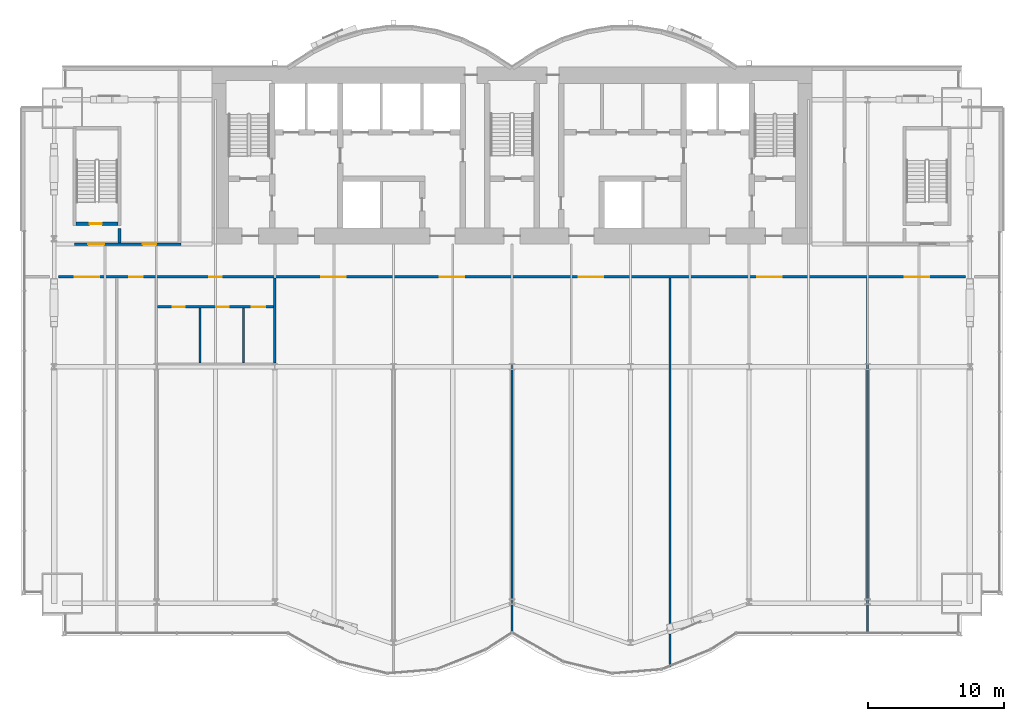
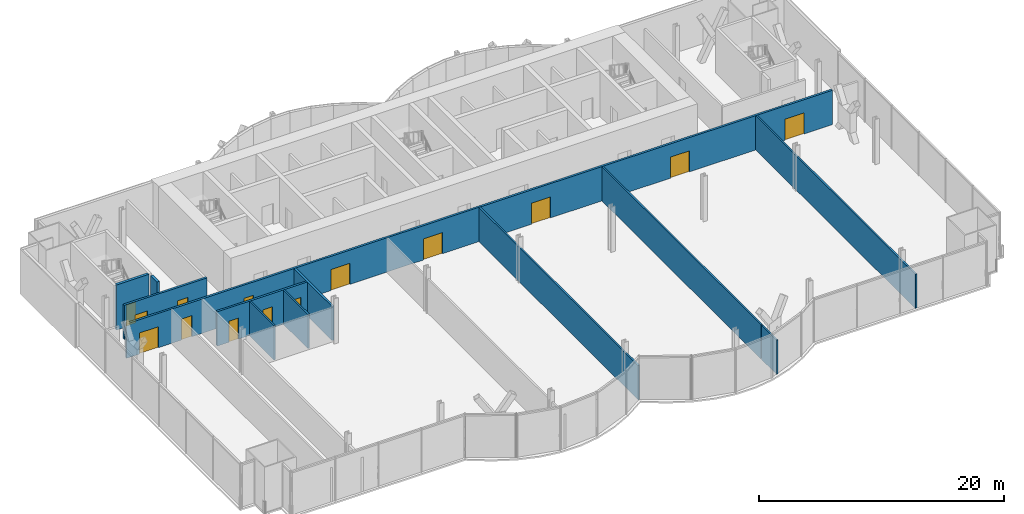
# One storey, part 15 of 22: 14 doors, 12 walls, 14 openings.
"""IFC4 building model written with IfcOpenShell, lengths in metres."""

from ifc_helpers import new_model, si_unit, direction, frame, frame_2d, origin, place, context, subcontext, project, spatial, rectangle, extrude, material, layer, layer_set, type_object, element, fill, save


model = new_model("IFC4")

# Units and contexts
model_context = context("Model", 3, precision=1e-05, world=origin(), true_north=direction((0.0, 1.0)))
body_context = subcontext(model_context, "Body", "Model", "MODEL_VIEW")
ifc_project = project(units=[si_unit("LENGTHUNIT", "METRE"), si_unit("AREAUNIT", "SQUARE_METRE"), si_unit("VOLUMEUNIT", "CUBIC_METRE"), si_unit("PLANEANGLEUNIT", "RADIAN"), si_unit("MASSUNIT", "GRAM", prefix="KILO")], contexts=[model_context])

# Site, building, storey
site_placement = place(None, origin())
site = spatial("IfcSite", under=ifc_project, at=site_placement, CompositionType="ELEMENT")
building_placement = place(site_placement, origin())
building = spatial("IfcBuilding", under=site, at=building_placement, Name="Bicima Exchange Tower", CompositionType="ELEMENT")
storey_placement = place(building_placement, frame((0.0, 0.0, 39.5)))
storey = spatial("IfcBuildingStorey", under=building, at=storey_placement, Name="L07", CompositionType="ELEMENT", Elevation=39.5)

# Wall, openings, doors
ifc_material_1 = material(Name="Gypsum board partition")
ifc_layer_1 = layer(ifc_material_1, 0.199951171875)
ifc_layer_set_1 = layer_set([ifc_layer_1], Name="Gypsum board partition")
wall_type_1 = type_object("IfcWallType", Name="Fire-rated gypsum partition 200 EI60", PredefinedType="PARTITIONING", material=ifc_layer_set_1)
wall_1_placement = place(storey_placement, frame((-26.0, -17.60009765625, 0.0), z_axis=(0.0, 0.0, 1.0), x_axis=(1.0, 0.0, 0.0)))
wall_1 = element("IfcWall", 1, at=wall_1_placement, inside=storey, type_object=wall_type_1, Name="partition wall 2", PredefinedType="PARTITIONING", context=body_context, shape_type="SweptSolid", body=[
    extrude(rectangle(XDim=8.5, YDim=0.199951171875, at=frame_2d((4.25, 0.0))), origin(), (0.0, 0.0, 1.0), 3.418212890625),
])
opening_1_placement = place(wall_1_placement, frame((1.10009765625, 0.0, 0.0)))
opening_1 = element("IfcOpeningElement", 2, at=opening_1_placement, cuts=wall_1, Name="Opening L07-010", PredefinedType="OPENING", context=body_context, shape_type="SweptSolid", body=[
    extrude(rectangle(XDim=0.89990234375, YDim=2.10009765625, at=frame_2d((0.449951171875, 1.050048828125))), frame((0.0, 0.11181640625, 0.0), z_axis=(0.0, -1.0, 0.0), x_axis=(1.0, 0.0, 0.0)), (0.0, 0.0, 1.0), 0.223876953125),
])
opening_2_placement = place(wall_1_placement, frame((4.300048828125, 0.0, 0.0)))
opening_2 = element("IfcOpeningElement", 3, at=opening_2_placement, cuts=wall_1, Name="Opening L07-011", PredefinedType="OPENING", context=body_context, shape_type="SweptSolid", body=[
    extrude(rectangle(XDim=0.89990234375, YDim=2.10009765625, at=frame_2d((0.449951171875, 1.050048828125))), frame((0.0, 0.11181640625, 0.0), z_axis=(0.0, -1.0, 0.0), x_axis=(1.0, 0.0, 0.0)), (0.0, 0.0, 1.0), 0.223876953125),
])
opening_3_placement = place(wall_1_placement, frame((6.89990234375, 0.0, 0.0)))
opening_3 = element("IfcOpeningElement", 4, at=opening_3_placement, cuts=wall_1, Name="Opening L07-012", PredefinedType="OPENING", context=body_context, shape_type="SweptSolid", body=[
    extrude(rectangle(XDim=1.0, YDim=2.10009765625, at=frame_2d((0.5, 1.050048828125))), frame((0.0, 0.11181640625, 0.0), z_axis=(0.0, -1.0, 0.0), x_axis=(1.0, 0.0, 0.0)), (0.0, 0.0, 1.0), 0.223876953125),
])
ifc_material_2 = material(Name="Steel fire door leaf", Category="steel")
door_type_1 = type_object("IfcDoorType", Name="Door 1000 swing FD30S", OperationType="SINGLE_SWING_LEFT", PredefinedType="DOOR", material=ifc_material_2)
door_1_placement = place(opening_3_placement, frame((1.0, 0.0, 0.0), z_axis=(0.0, 0.0, 1.0), x_axis=(-1.0, 0.0, 0.0)))
door_1 = element("IfcDoor", 5, at=door_1_placement, inside=storey, type_object=door_type_1, Name="Door", OperationType="SINGLE_SWING_RIGHT", OverallHeight=2.10009765625, OverallWidth=1.0, PredefinedType="DOOR", context=body_context, shape_type="SweptSolid", body=[
    extrude(rectangle(XDim=1.0, YDim=2.10009765625, at=frame_2d((0.5, 1.050048828125))), frame((0.0, 0.02490234375, 0.0), z_axis=(0.0, -1.0, 0.0), x_axis=(1.0, 0.0, 0.0)), (0.0, 0.0, 1.0), 0.050048828125),
])
fill(opening_3, door_1)
door_type_2 = type_object("IfcDoorType", Name="Door 900 swing FD30S", OperationType="SINGLE_SWING_LEFT", PredefinedType="DOOR", material=ifc_material_2)
door_2_placement = place(opening_1_placement, frame((0.89990234375, 0.0, 0.0), z_axis=(0.0, 0.0, 1.0), x_axis=(-1.0, 0.0, 0.0)))
door_2 = element("IfcDoor", 6, at=door_2_placement, inside=storey, type_object=door_type_2, Name="Door", OperationType="SINGLE_SWING_LEFT", OverallHeight=2.10009765625, OverallWidth=0.89990234375, PredefinedType="DOOR", context=body_context, shape_type="SweptSolid", body=[
    extrude(rectangle(XDim=0.89990234375, YDim=2.10009765625, at=frame_2d((0.449951171875, 1.050048828125))), frame((0.0, 0.02490234375, 0.0), z_axis=(0.0, -1.0, 0.0), x_axis=(1.0, 0.0, 0.0)), (0.0, 0.0, 1.0), 0.050048828125),
])
fill(opening_1, door_2)
door_3_placement = place(opening_2_placement, frame((0.89990234375, 0.0, 0.0), z_axis=(0.0, 0.0, 1.0), x_axis=(-1.0, 0.0, 0.0)))
door_3 = element("IfcDoor", 7, at=door_3_placement, inside=storey, type_object=door_type_2, Name="Door", OperationType="SINGLE_SWING_RIGHT", OverallHeight=2.10009765625, OverallWidth=0.89990234375, PredefinedType="DOOR", context=body_context, shape_type="SweptSolid", body=[
    extrude(rectangle(XDim=0.89990234375, YDim=2.10009765625, at=frame_2d((0.449951171875, 1.050048828125))), frame((0.0, 0.02490234375, 0.0), z_axis=(0.0, -1.0, 0.0), x_axis=(1.0, 0.0, 0.0)), (0.0, 0.0, 1.0), 0.050048828125),
])
fill(opening_2, door_3)

wall_2_placement = place(storey_placement, frame((-33.27001953125, -15.39990234375, 0.0), z_axis=(0.0, 0.0, 1.0), x_axis=(1.0, 0.0, 0.0)))
wall_2 = element("IfcWall", 8, at=wall_2_placement, inside=storey, type_object=wall_type_1, Name="partition wall 4", PredefinedType="PARTITIONING", context=body_context, shape_type="SweptSolid", body=[
    extrude(rectangle(XDim=66.5400390625, YDim=0.199951171875, at=frame_2d((33.27001953125, 0.0))), origin(), (0.0, 0.0, 1.0), 3.418212890625),
])
opening_4_placement = place(wall_2_placement, frame((1.199951171875, 0.0, 0.0)))
opening_4 = element("IfcOpeningElement", 9, at=opening_4_placement, cuts=wall_2, Name="Opening L07-007", PredefinedType="OPENING", context=body_context, shape_type="SweptSolid", body=[
    extrude(rectangle(XDim=1.800048828125, YDim=2.10009765625, at=frame_2d((0.89990234375, 1.050048828125))), frame((0.0, 0.11181640625, 0.0), z_axis=(0.0, -1.0, 0.0), x_axis=(1.0, 0.0, 0.0)), (0.0, 0.0, 1.0), 0.223876953125),
])
opening_5_placement = place(wall_2_placement, frame((5.169921875, 0.0, 0.0)))
opening_5 = element("IfcOpeningElement", 10, at=opening_5_placement, cuts=wall_2, Name="Opening L07-008", PredefinedType="OPENING", context=body_context, shape_type="SweptSolid", body=[
    extrude(rectangle(XDim=1.0, YDim=2.10009765625, at=frame_2d((0.5, 1.050048828125))), frame((0.0, 0.11181640625, 0.0), z_axis=(0.0, -1.0, 0.0), x_axis=(1.0, 0.0, 0.0)), (0.0, 0.0, 1.0), 0.223876953125),
])
opening_6_placement = place(wall_2_placement, frame((11.070068359375, 0.0, 0.0)))
opening_6 = element("IfcOpeningElement", 11, at=opening_6_placement, cuts=wall_2, Name="Opening L07-009", PredefinedType="OPENING", context=body_context, shape_type="SweptSolid", body=[
    extrude(rectangle(XDim=0.89990234375, YDim=2.10009765625, at=frame_2d((0.449951171875, 1.050048828125))), frame((0.0, 0.11181640625, 0.0), z_axis=(0.0, -1.0, 0.0), x_axis=(1.0, 0.0, 0.0)), (0.0, 0.0, 1.0), 0.223876953125),
])
opening_7_placement = place(wall_2_placement, frame((19.27001953125, 0.0, 0.0)))
opening_7 = element("IfcOpeningElement", 12, at=opening_7_placement, cuts=wall_2, Name="Opening L07-013", PredefinedType="OPENING", context=body_context, shape_type="SweptSolid", body=[
    extrude(rectangle(XDim=1.800048828125, YDim=2.10009765625, at=frame_2d((0.89990234375, 1.050048828125))), frame((0.0, 0.11181640625, 0.0), z_axis=(0.0, -1.0, 0.0), x_axis=(1.0, 0.0, 0.0)), (0.0, 0.0, 1.0), 0.223876953125),
])
opening_8_placement = place(wall_2_placement, frame((27.969970703125, 0.0, 0.0)))
opening_8 = element("IfcOpeningElement", 13, at=opening_8_placement, cuts=wall_2, Name="Opening L07-014", PredefinedType="OPENING", context=body_context, shape_type="SweptSolid", body=[
    extrude(rectangle(XDim=1.800048828125, YDim=2.10009765625, at=frame_2d((0.89990234375, 1.050048828125))), frame((0.0, 0.11181640625, 0.0), z_axis=(0.0, -1.0, 0.0), x_axis=(1.0, 0.0, 0.0)), (0.0, 0.0, 1.0), 0.223876953125),
])
opening_9_placement = place(wall_2_placement, frame((38.169921875, 0.0, 0.0)))
opening_9 = element("IfcOpeningElement", 14, at=opening_9_placement, cuts=wall_2, Name="Opening L07-015", PredefinedType="OPENING", context=body_context, shape_type="SweptSolid", body=[
    extrude(rectangle(XDim=1.800048828125, YDim=2.10009765625, at=frame_2d((0.89990234375, 1.050048828125))), frame((0.0, 0.11181640625, 0.0), z_axis=(0.0, -1.0, 0.0), x_axis=(1.0, 0.0, 0.0)), (0.0, 0.0, 1.0), 0.223876953125),
])
opening_10_placement = place(wall_2_placement, frame((51.27001953125, 0.0, 0.0)))
opening_10 = element("IfcOpeningElement", 15, at=opening_10_placement, cuts=wall_2, Name="Opening L07-016", PredefinedType="OPENING", context=body_context, shape_type="SweptSolid", body=[
    extrude(rectangle(XDim=1.800048828125, YDim=2.10009765625, at=frame_2d((0.89990234375, 1.050048828125))), frame((0.0, 0.11181640625, 0.0), z_axis=(0.0, -1.0, 0.0), x_axis=(1.0, 0.0, 0.0)), (0.0, 0.0, 1.0), 0.223876953125),
])
opening_11_placement = place(wall_2_placement, frame((62.070068359375, 0.0, 0.0)))
opening_11 = element("IfcOpeningElement", 16, at=opening_11_placement, cuts=wall_2, Name="Opening L07-017", PredefinedType="OPENING", context=body_context, shape_type="SweptSolid", body=[
    extrude(rectangle(XDim=1.800048828125, YDim=2.10009765625, at=frame_2d((0.89990234375, 1.050048828125))), frame((0.0, 0.11181640625, 0.0), z_axis=(0.0, -1.0, 0.0), x_axis=(1.0, 0.0, 0.0)), (0.0, 0.0, 1.0), 0.223876953125),
])
door_4_placement = place(opening_5_placement, frame((1.0, 0.0, 0.0), z_axis=(0.0, 0.0, 1.0), x_axis=(-1.0, 0.0, 0.0)))
door_4 = element("IfcDoor", 17, at=door_4_placement, inside=storey, type_object=door_type_1, Name="Door", OperationType="SINGLE_SWING_RIGHT", OverallHeight=2.10009765625, OverallWidth=1.0, PredefinedType="DOOR", context=body_context, shape_type="SweptSolid", body=[
    extrude(rectangle(XDim=1.0, YDim=2.10009765625, at=frame_2d((0.5, 1.050048828125))), frame((0.0, 0.02490234375, 0.0), z_axis=(0.0, -1.0, 0.0), x_axis=(1.0, 0.0, 0.0)), (0.0, 0.0, 1.0), 0.050048828125),
])
fill(opening_5, door_4)
door_type_3 = type_object("IfcDoorType", Name="Door 1800 double swing FD30S", OperationType="DOUBLE_DOOR_SINGLE_SWING", PredefinedType="DOOR", material=ifc_material_2)
door_5_placement = place(opening_4_placement, origin())
door_5 = element("IfcDoor", 18, at=door_5_placement, inside=storey, type_object=door_type_3, Name="Door", OperationType="SINGLE_SWING_LEFT", OverallHeight=2.10009765625, OverallWidth=1.800048828125, PredefinedType="DOOR", context=body_context, shape_type="SweptSolid", body=[
    extrude(rectangle(XDim=1.800048828125, YDim=2.10009765625, at=frame_2d((0.89990234375, 1.050048828125))), frame((0.0, 0.02490234375, 0.0), z_axis=(0.0, -1.0, 0.0), x_axis=(1.0, 0.0, 0.0)), (0.0, 0.0, 1.0), 0.050048828125),
])
fill(opening_4, door_5)
door_6_placement = place(opening_7_placement, origin())
door_6 = element("IfcDoor", 19, at=door_6_placement, inside=storey, type_object=door_type_3, Name="Door", OperationType="SINGLE_SWING_LEFT", OverallHeight=2.10009765625, OverallWidth=1.800048828125, PredefinedType="DOOR", context=body_context, shape_type="SweptSolid", body=[
    extrude(rectangle(XDim=1.800048828125, YDim=2.10009765625, at=frame_2d((0.89990234375, 1.050048828125))), frame((0.0, 0.02490234375, 0.0), z_axis=(0.0, -1.0, 0.0), x_axis=(1.0, 0.0, 0.0)), (0.0, 0.0, 1.0), 0.050048828125),
])
fill(opening_7, door_6)
door_7_placement = place(opening_8_placement, origin())
door_7 = element("IfcDoor", 20, at=door_7_placement, inside=storey, type_object=door_type_3, Name="Door", OperationType="SINGLE_SWING_LEFT", OverallHeight=2.10009765625, OverallWidth=1.800048828125, PredefinedType="DOOR", context=body_context, shape_type="SweptSolid", body=[
    extrude(rectangle(XDim=1.800048828125, YDim=2.10009765625, at=frame_2d((0.89990234375, 1.050048828125))), frame((0.0, 0.02490234375, 0.0), z_axis=(0.0, -1.0, 0.0), x_axis=(1.0, 0.0, 0.0)), (0.0, 0.0, 1.0), 0.050048828125),
])
fill(opening_8, door_7)
door_8_placement = place(opening_9_placement, origin())
door_8 = element("IfcDoor", 21, at=door_8_placement, inside=storey, type_object=door_type_3, Name="Door", OperationType="SINGLE_SWING_LEFT", OverallHeight=2.10009765625, OverallWidth=1.800048828125, PredefinedType="DOOR", context=body_context, shape_type="SweptSolid", body=[
    extrude(rectangle(XDim=1.800048828125, YDim=2.10009765625, at=frame_2d((0.89990234375, 1.050048828125))), frame((0.0, 0.02490234375, 0.0), z_axis=(0.0, -1.0, 0.0), x_axis=(1.0, 0.0, 0.0)), (0.0, 0.0, 1.0), 0.050048828125),
])
fill(opening_9, door_8)
door_9_placement = place(opening_10_placement, origin())
door_9 = element("IfcDoor", 22, at=door_9_placement, inside=storey, type_object=door_type_3, Name="Door", OperationType="SINGLE_SWING_LEFT", OverallHeight=2.10009765625, OverallWidth=1.800048828125, PredefinedType="DOOR", context=body_context, shape_type="SweptSolid", body=[
    extrude(rectangle(XDim=1.800048828125, YDim=2.10009765625, at=frame_2d((0.89990234375, 1.050048828125))), frame((0.0, 0.02490234375, 0.0), z_axis=(0.0, -1.0, 0.0), x_axis=(1.0, 0.0, 0.0)), (0.0, 0.0, 1.0), 0.050048828125),
])
fill(opening_10, door_9)
door_10_placement = place(opening_11_placement, origin())
door_10 = element("IfcDoor", 23, at=door_10_placement, inside=storey, type_object=door_type_3, Name="Door", OperationType="SINGLE_SWING_LEFT", OverallHeight=2.10009765625, OverallWidth=1.800048828125, PredefinedType="DOOR", context=body_context, shape_type="SweptSolid", body=[
    extrude(rectangle(XDim=1.800048828125, YDim=2.10009765625, at=frame_2d((0.89990234375, 1.050048828125))), frame((0.0, 0.02490234375, 0.0), z_axis=(0.0, -1.0, 0.0), x_axis=(1.0, 0.0, 0.0)), (0.0, 0.0, 1.0), 0.050048828125),
])
fill(opening_11, door_10)
door_11_placement = place(opening_6_placement, frame((0.89990234375, 0.0, 0.0), z_axis=(0.0, 0.0, 1.0), x_axis=(-1.0, 0.0, 0.0)))
door_11 = element("IfcDoor", 24, at=door_11_placement, inside=storey, type_object=door_type_2, Name="Door", OperationType="SINGLE_SWING_RIGHT", OverallHeight=2.10009765625, OverallWidth=0.89990234375, PredefinedType="DOOR", context=body_context, shape_type="SweptSolid", body=[
    extrude(rectangle(XDim=0.89990234375, YDim=2.10009765625, at=frame_2d((0.449951171875, 1.050048828125))), frame((0.0, 0.02490234375, 0.0), z_axis=(0.0, -1.0, 0.0), x_axis=(1.0, 0.0, 0.0)), (0.0, 0.0, 1.0), 0.050048828125),
])
fill(opening_6, door_11)

wall_3_placement = place(storey_placement, frame((-32.10009765625, -13.0, 0.0), z_axis=(0.0, 0.0, 1.0), x_axis=(1.0, 0.0, 0.0)))
wall_3 = element("IfcWall", 25, at=wall_3_placement, inside=storey, type_object=wall_type_1, Name="partition wall 6", PredefinedType="PARTITIONING", context=body_context, shape_type="SweptSolid", body=[
    extrude(rectangle(XDim=7.800048828125, YDim=0.199951171875, at=frame_2d((3.89990234375, 0.0))), origin(), (0.0, 0.0, 1.0), 3.418212890625),
])
opening_12_placement = place(wall_3_placement, frame((1.0, 0.0, 0.0)))
opening_12 = element("IfcOpeningElement", 26, at=opening_12_placement, cuts=wall_3, Name="Opening L07-001", PredefinedType="OPENING", context=body_context, shape_type="SweptSolid", body=[
    extrude(rectangle(XDim=1.199951171875, YDim=2.10009765625, at=frame_2d((0.60009765625, 1.050048828125))), frame((0.0, 0.11181640625, 0.0), z_axis=(0.0, -1.0, 0.0), x_axis=(1.0, 0.0, 0.0)), (0.0, 0.0, 1.0), 0.223876953125),
])
opening_13_placement = place(wall_3_placement, frame((5.0, 0.0, 0.0)))
opening_13 = element("IfcOpeningElement", 27, at=opening_13_placement, cuts=wall_3, Name="Opening L07-005", PredefinedType="OPENING", context=body_context, shape_type="SweptSolid", body=[
    extrude(rectangle(XDim=1.0, YDim=2.10009765625, at=frame_2d((0.5, 1.050048828125))), frame((0.0, 0.11181640625, 0.0), z_axis=(0.0, -1.0, 0.0), x_axis=(1.0, 0.0, 0.0)), (0.0, 0.0, 1.0), 0.223876953125),
])
door_12_placement = place(opening_13_placement, origin())
door_12 = element("IfcDoor", 28, at=door_12_placement, inside=storey, type_object=door_type_1, Name="Door", OperationType="SINGLE_SWING_LEFT", OverallHeight=2.10009765625, OverallWidth=1.0, PredefinedType="DOOR", context=body_context, shape_type="SweptSolid", body=[
    extrude(rectangle(XDim=1.0, YDim=2.10009765625, at=frame_2d((0.5, 1.050048828125))), frame((0.0, 0.02490234375, 0.0), z_axis=(0.0, -1.0, 0.0), x_axis=(1.0, 0.0, 0.0)), (0.0, 0.0, 1.0), 0.050048828125),
])
fill(opening_13, door_12)
door_type_4 = type_object("IfcDoorType", Name="Door 1200 swing FD30S", OperationType="SINGLE_SWING_LEFT", PredefinedType="DOOR", material=ifc_material_2)
door_13_placement = place(opening_12_placement, origin())
door_13 = element("IfcDoor", 29, at=door_13_placement, inside=storey, type_object=door_type_4, Name="Door", OperationType="SINGLE_SWING_LEFT", OverallHeight=2.10009765625, OverallWidth=1.199951171875, PredefinedType="DOOR", context=body_context, shape_type="SweptSolid", body=[
    extrude(rectangle(XDim=1.199951171875, YDim=2.10009765625, at=frame_2d((0.60009765625, 1.050048828125))), frame((0.0, 0.02490234375, 0.0), z_axis=(0.0, -1.0, 0.0), x_axis=(1.0, 0.0, 0.0)), (0.0, 0.0, 1.0), 0.050048828125),
])
fill(opening_12, door_13)

# Walls
wall_4_placement = place(storey_placement, frame((-17.39990234375, -21.72509765625, 0.0), z_axis=(0.0, 0.0, 1.0), x_axis=(0.0, 1.0, 0.0)))
element("IfcWall", 30, at=wall_4_placement, inside=storey, type_object=wall_type_1, Name="partition wall 21", PredefinedType="PARTITIONING", context=body_context, shape_type="SweptSolid", body=[
    extrude(rectangle(XDim=6.22509765625, YDim=0.199951171875, at=frame_2d((3.112548828125, 0.0))), origin(), (0.0, 0.0, 1.0), 3.418212890625),
])
ifc_layer_2 = layer(ifc_material_1, 0.14990234375)
ifc_layer_set_2 = layer_set([ifc_layer_2], Name="Gypsum board partition")
wall_type_2 = type_object("IfcWallType", Name="Gypsum partition 150", PredefinedType="PARTITIONING", material=ifc_layer_set_2)
for number, where, z_axis, x_axis, name in (
    (31, (-22.89990234375, -21.72509765625, 0.0), (0.0, 0.0, 1.0), (0.0, 1.0, 0.0), "partition wall 19"),
    (32, (-19.699951171875, -21.72509765625, 0.0), (0.0, 0.0, 1.0), (0.0, 1.0, 0.0), "partition wall 20"),
):
    element("IfcWall", number, at=place(storey_placement, frame(where, z_axis=z_axis, x_axis=x_axis)), inside=storey, type_object=wall_type_2, Name=name, PredefinedType="PARTITIONING", context=body_context, shape_type="SweptSolid", body=[
        extrude(rectangle(XDim=4.025146484375, YDim=0.14990234375, at=frame_2d((2.0126953125, 0.0))), origin(), (0.0, 0.0, 1.0), 3.418212890625),
    ])
wall_5_placement = place(storey_placement, frame((0.0, -41.510009765625, 0.0), z_axis=(0.0, 0.0, 1.0), x_axis=(0.0, 1.0, 0.0)))
element("IfcWall", 33, at=wall_5_placement, inside=storey, type_object=wall_type_2, Name="partition wall 23", PredefinedType="PARTITIONING", context=body_context, shape_type="SweptSolid", body=[
    extrude(rectangle(XDim=26.010009765625, YDim=0.14990234375, at=frame_2d((13.0048828125, 0.0))), origin(), (0.0, 0.0, 1.0), 3.418212890625),
])
wall_6_placement = place(storey_placement, frame((11.60009765625, -44.010009765625, 0.0), z_axis=(0.0, 0.0, 1.0), x_axis=(0.0, 1.0, 0.0)))
element("IfcWall", 34, at=wall_6_placement, inside=storey, type_object=wall_type_2, Name="partition wall 24", PredefinedType="PARTITIONING", context=body_context, shape_type="SweptSolid", body=[
    extrude(rectangle(XDim=2.414306640625, YDim=0.14990234375, at=frame_2d((1.20703125, 0.0))), origin(), (0.0, 0.0, 1.0), 3.418212890625),
])
wall_7_placement = place(storey_placement, frame((11.60009765625, -41.443115234375, 0.0), z_axis=(0.0, 0.0, 1.0), x_axis=(0.0, 1.0, 0.0)))
element("IfcWall", 35, at=wall_7_placement, inside=storey, type_object=wall_type_2, Name="partition wall 25", PredefinedType="PARTITIONING", context=body_context, shape_type="SweptSolid", body=[
    extrude(rectangle(XDim=25.943115234375, YDim=0.14990234375, at=frame_2d((12.9716796875, 0.0))), origin(), (0.0, 0.0, 1.0), 3.418212890625),
])
wall_8_placement = place(storey_placement, frame((26.10009765625, -41.550048828125, 0.0), z_axis=(0.0, 0.0, 1.0), x_axis=(0.0, 1.0, 0.0)))
element("IfcWall", 36, at=wall_8_placement, inside=storey, type_object=wall_type_2, Name="partition wall 27", PredefinedType="PARTITIONING", context=body_context, shape_type="SweptSolid", body=[
    extrude(rectangle(XDim=26.050048828125, YDim=0.14990234375, at=frame_2d((13.02490234375, 0.0))), origin(), (0.0, 0.0, 1.0), 3.418212890625),
])
ifc_material_3 = material(Name="Concrete C50/60", Category="concrete")
ifc_layer_3 = layer(ifc_material_3, 0.25)
ifc_layer_set_3 = layer_set([ifc_layer_3], Name="Concrete C50/60")
wall_type_3 = type_object("IfcWallType", Name="RC core wall 250 C50/60", PredefinedType="SHEAR", material=ifc_layer_set_3)
wall_9_placement = place(storey_placement, frame((-28.800048828125, -12.89990234375, 0.0), z_axis=(0.0, 0.0, 1.0), x_axis=(0.0, 1.0, 0.0)))
element("IfcWall", 37, at=wall_9_placement, inside=storey, type_object=wall_type_3, Name="stair wall 16", PredefinedType="SHEAR", context=body_context, shape_type="SweptSolid", body=[
    extrude(rectangle(XDim=1.0498046875, YDim=0.25, at=frame_2d((0.52490234375, 0.0))), origin(), (0.0, 0.0, 1.0), 4.5),
])

# Wall, opening, door
ifc_layer_4 = layer(ifc_material_3, 0.25)
ifc_layer_set_4 = layer_set([ifc_layer_4], Name="Concrete C50/60")
wall_type_4 = type_object("IfcWallType", Name="RC stair enclosure wall 250 C50/60", PredefinedType="SHEAR", material=ifc_layer_set_4)
wall_10_placement = place(storey_placement, frame((-31.97509765625, -11.5, 0.0), z_axis=(0.0, 0.0, 1.0), x_axis=(1.0, 0.0, 0.0)))
wall_10 = element("IfcWall", 38, at=wall_10_placement, inside=storey, type_object=wall_type_4, Name="West end exit stair wall S", PredefinedType="SHEAR", context=body_context, shape_type="SweptSolid", body=[
    extrude(rectangle(XDim=3.050048828125, YDim=0.25, at=frame_2d((1.52490234375, 0.0))), origin(), (0.0, 0.0, 1.0), 4.5),
])
opening_14_placement = place(wall_10_placement, frame((0.97509765625, 0.0, 0.0)))
opening_14 = element("IfcOpeningElement", 39, at=opening_14_placement, cuts=wall_10, Name="Opening L07-002", PredefinedType="OPENING", context=body_context, shape_type="SweptSolid", body=[
    extrude(rectangle(XDim=0.89990234375, YDim=2.10009765625, at=frame_2d((0.449951171875, 1.050048828125))), frame((0.0, 0.136962890625, 0.0), z_axis=(0.0, -1.0, 0.0), x_axis=(1.0, 0.0, 0.0)), (0.0, 0.0, 1.0), 0.27392578125),
])
door_type_5 = type_object("IfcDoorType", Name="Door 900 swing FD60S", OperationType="SINGLE_SWING_LEFT", PredefinedType="DOOR", material=ifc_material_2)
door_14_placement = place(opening_14_placement, origin())
door_14 = element("IfcDoor", 40, at=door_14_placement, inside=storey, type_object=door_type_5, Name="Door", OperationType="SINGLE_SWING_LEFT", OverallHeight=2.10009765625, OverallWidth=0.89990234375, PredefinedType="DOOR", context=body_context, shape_type="SweptSolid", body=[
    extrude(rectangle(XDim=0.89990234375, YDim=2.10009765625, at=frame_2d((0.449951171875, 1.050048828125))), frame((0.0, 0.02490234375, 0.0), z_axis=(0.0, -1.0, 0.0), x_axis=(1.0, 0.0, 0.0)), (0.0, 0.0, 1.0), 0.050048828125),
])
fill(opening_14, door_14)

save(model, "model.ifc")
